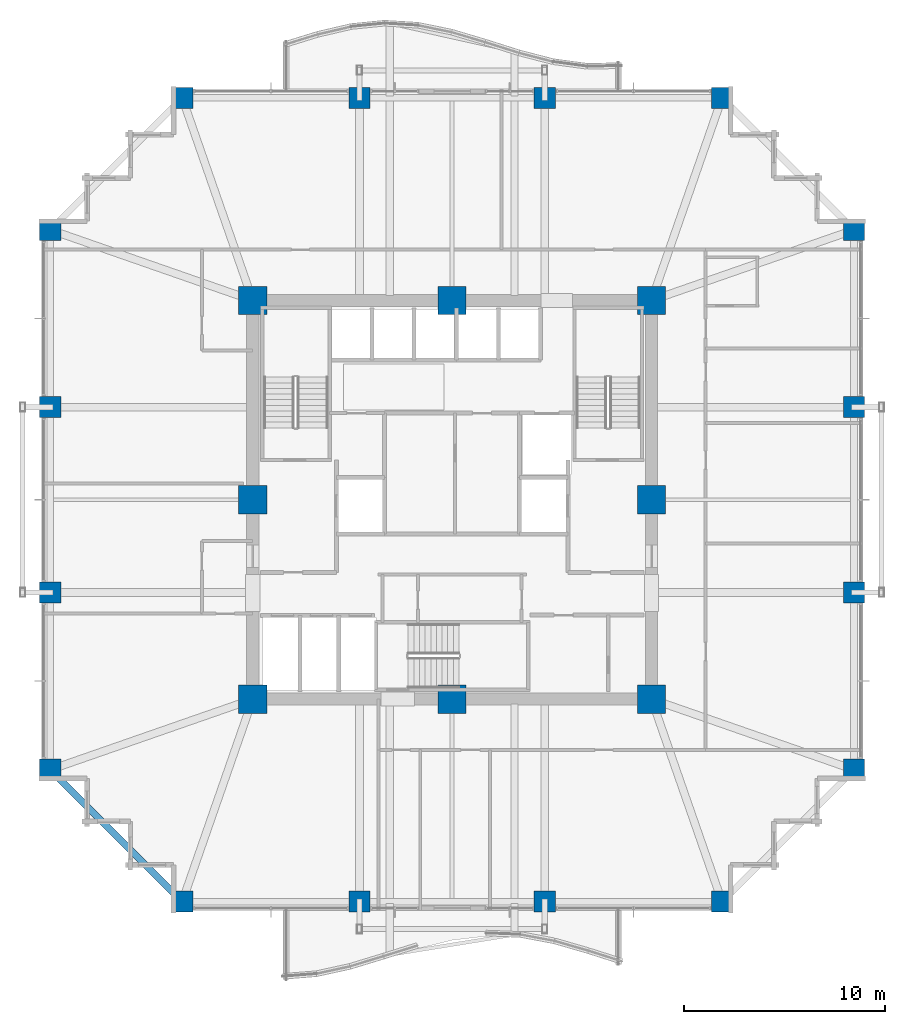
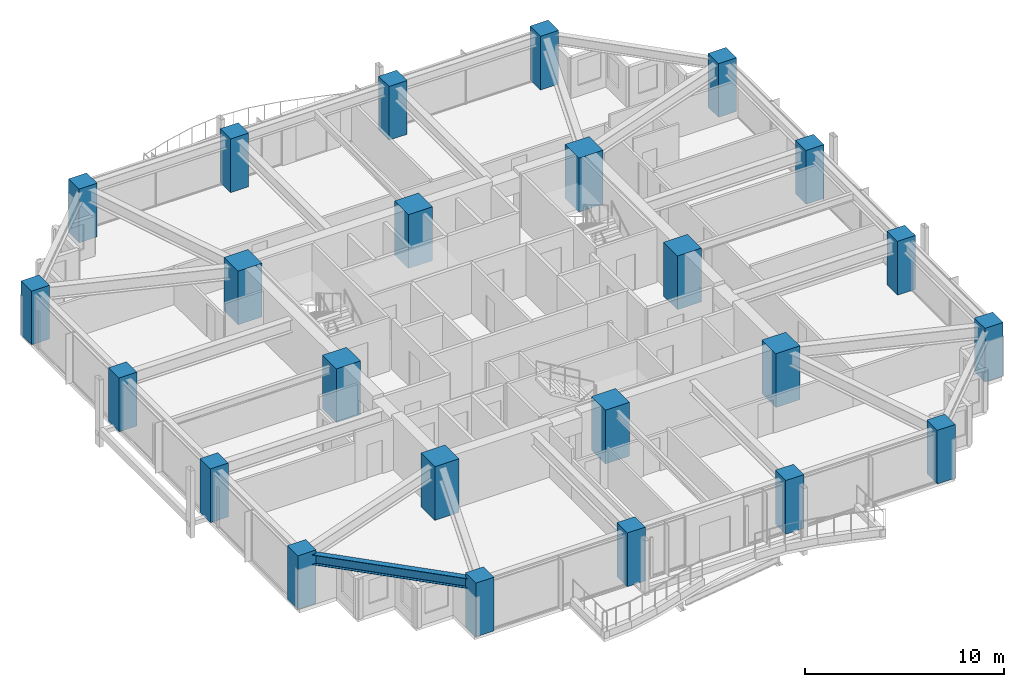
# One storey, part 1 of 38: 24 columns, 1 beam.
"""IFC4 building model written with IfcOpenShell, lengths in metres."""

from ifc_helpers import new_model, si_unit, direction, frame, origin, origin_2d, place, context, subcontext, project, spatial, rectangle, i_section, extrude, material, material_profile, profile_set, type_object, element, save


model = new_model("IFC4")

# Units and contexts
model_context = context("Model", 3, precision=1e-05, world=origin(), true_north=direction((0.0, 1.0)))
body_context = subcontext(model_context, "Body", "Model", "MODEL_VIEW")
ifc_project = project(units=[si_unit("LENGTHUNIT", "METRE"), si_unit("AREAUNIT", "SQUARE_METRE"), si_unit("VOLUMEUNIT", "CUBIC_METRE"), si_unit("PLANEANGLEUNIT", "RADIAN"), si_unit("MASSUNIT", "GRAM", prefix="KILO")], contexts=[model_context])

# Site, building, storey
site_placement = place(None, origin())
site = spatial("IfcSite", under=ifc_project, at=site_placement, CompositionType="ELEMENT")
building_placement = place(site_placement, origin())
building = spatial("IfcBuilding", under=site, at=building_placement, Name="Kolvaren Belvedere", CompositionType="ELEMENT")
storey_placement = place(building_placement, frame((0.0, 0.0, 72.199951171875)))
storey = spatial("IfcBuildingStorey", under=building, at=storey_placement, Name="L20", CompositionType="ELEMENT", Elevation=72.199951171875)

# Columns
ifc_material_1 = material(Name="Concrete C50/60", Category="concrete")
ifc_material_profile_1 = material_profile(ifc_material_1, rectangle(XDim=1.050048828125, YDim=1.050048828125, at=origin_2d()), Name="RC 1050X1050")
ifc_profile_set_1 = profile_set([ifc_material_profile_1], Name="Concrete C50/60")
column_type_1 = type_object("IfcColumnType", Name="COL-RC-1050", PredefinedType="COLUMN", material=ifc_profile_set_1)
for number, where, z_axis, x_axis, name in (
    (1, (-13.39990234375, -19.949951171875, 0.0), (0.0, 0.0, 1.0), (1.0, 0.0, 0.0), "L20 Perimeter Column S1"),
    (2, (-4.60009765625, -19.949951171875, 0.0), (0.0, 0.0, 1.0), (1.0, 0.0, 0.0), "L20 Perimeter Column S2"),
    (3, (4.60009765625, -19.949951171875, 0.0), (0.0, 0.0, 1.0), (1.0, 0.0, 0.0), "L20 Perimeter Column S3"),
    (4, (13.39990234375, -19.949951171875, 0.0), (0.0, 0.0, 1.0), (1.0, 0.0, 0.0), "L20 Perimeter Column S4"),
    (5, (-13.39990234375, 19.949951171875, 0.0), (0.0, 0.0, 1.0), (1.0, 0.0, 0.0), "L20 Perimeter Column N1"),
    (6, (-4.60009765625, 19.949951171875, 0.0), (0.0, 0.0, 1.0), (1.0, 0.0, 0.0), "L20 Perimeter Column N2"),
    (7, (4.60009765625, 19.949951171875, 0.0), (0.0, 0.0, 1.0), (1.0, 0.0, 0.0), "L20 Perimeter Column N3"),
    (8, (13.39990234375, 19.949951171875, 0.0), (0.0, 0.0, 1.0), (1.0, 0.0, 0.0), "L20 Perimeter Column N4"),
    (9, (-19.949951171875, -13.39990234375, 0.0), (0.0, 0.0, 1.0), (1.0, 0.0, 0.0), "L20 Perimeter Column W1"),
    (10, (-19.949951171875, -4.60009765625, 0.0), (0.0, 0.0, 1.0), (1.0, 0.0, 0.0), "L20 Perimeter Column W2"),
    (11, (-19.949951171875, 4.60009765625, 0.0), (0.0, 0.0, 1.0), (1.0, 0.0, 0.0), "L20 Perimeter Column W3"),
    (12, (-19.949951171875, 13.39990234375, 0.0), (0.0, 0.0, 1.0), (1.0, 0.0, 0.0), "L20 Perimeter Column W4"),
    (13, (19.949951171875, -13.39990234375, 0.0), (0.0, 0.0, 1.0), (1.0, 0.0, 0.0), "L20 Perimeter Column E1"),
    (14, (19.949951171875, -4.60009765625, 0.0), (0.0, 0.0, 1.0), (1.0, 0.0, 0.0), "L20 Perimeter Column E2"),
    (15, (19.949951171875, 4.60009765625, 0.0), (0.0, 0.0, 1.0), (1.0, 0.0, 0.0), "L20 Perimeter Column E3"),
    (16, (19.949951171875, 13.39990234375, 0.0), (0.0, 0.0, 1.0), (1.0, 0.0, 0.0), "L20 Perimeter Column E4"),
):
    element("IfcColumn", number, at=place(storey_placement, frame(where, z_axis=z_axis, x_axis=x_axis)), inside=storey, type_object=column_type_1, Name=name, PredefinedType="COLUMN", context=body_context, shape_type="SweptSolid", body=[
        extrude(rectangle(XDim=1.050048828125, YDim=1.050048828125, at=origin_2d()), origin(), (0.0, 0.0, 1.0), 3.300048828125),
    ])
ifc_material_2 = material(Name="Concrete C60/75", Category="concrete")
ifc_material_profile_2 = material_profile(ifc_material_2, rectangle(XDim=1.39990234375, YDim=1.39990234375, at=origin_2d()), Name="RC 1400X1400")
ifc_profile_set_2 = profile_set([ifc_material_profile_2], Name="Concrete C60/75")
column_type_2 = type_object("IfcColumnType", Name="COL-RC-1400", PredefinedType="COLUMN", material=ifc_profile_set_2)
for number, where, z_axis, x_axis, name in (
    (17, (-9.89990234375, -9.89990234375, 0.0), (0.0, 0.0, 1.0), (1.0, 0.0, 0.0), "L20 Core Column CC1"),
    (18, (9.89990234375, -9.89990234375, 0.0), (0.0, 0.0, 1.0), (1.0, 0.0, 0.0), "L20 Core Column CC2"),
    (19, (9.89990234375, 9.89990234375, 0.0), (0.0, 0.0, 1.0), (1.0, 0.0, 0.0), "L20 Core Column CC3"),
    (20, (-9.89990234375, 9.89990234375, 0.0), (0.0, 0.0, 1.0), (1.0, 0.0, 0.0), "L20 Core Column CC4"),
    (21, (0.0, -9.89990234375, 0.0), (0.0, 0.0, 1.0), (1.0, 0.0, 0.0), "L20 Core Column CM1"),
    (22, (9.89990234375, 0.0, 0.0), (0.0, 0.0, 1.0), (1.0, 0.0, 0.0), "L20 Core Column CM2"),
    (23, (0.0, 9.89990234375, 0.0), (0.0, 0.0, 1.0), (1.0, 0.0, 0.0), "L20 Core Column CM3"),
    (24, (-9.89990234375, 0.0, 0.0), (0.0, 0.0, 1.0), (1.0, 0.0, 0.0), "L20 Core Column CM4"),
):
    element("IfcColumn", number, at=place(storey_placement, frame(where, z_axis=z_axis, x_axis=x_axis)), inside=storey, type_object=column_type_2, Name=name, PredefinedType="COLUMN", context=body_context, shape_type="SweptSolid", body=[
        extrude(rectangle(XDim=1.39990234375, YDim=1.39990234375, at=origin_2d()), origin(), (0.0, 0.0, 1.0), 3.300048828125),
    ])

# Beam
ifc_material_3 = material(Name="Structural steel ASTM A992 Grade 50", Category="steel")
ifc_material_profile_3 = material_profile(ifc_material_3, i_section(OverallWidth=0.324951171875, OverallDepth=0.615966796875, WebThickness=0.013916015625, FlangeThickness=0.021484375, FilletRadius=0.02001953125, at=origin_2d()), Name="W24X117")
ifc_profile_set_3 = profile_set([ifc_material_profile_3], Name="Structural steel ASTM A992 Grade 50")
beam_type = type_object("IfcBeamType", Name="BM-SPAN-W24X117", PredefinedType="SPANDREL", material=ifc_profile_set_3)
beam_placement = place(storey_placement, frame((-19.782958984375, -13.567138671875, 2.77197265625), z_axis=(0.707106781187, -0.707106781187, 0.0), x_axis=(0.707106781187, 0.707106781187, 0.0)))
element("IfcBeam", 25, at=beam_placement, inside=storey, type_object=beam_type, Name="L20 Perimeter Spandrel W1-S1", PredefinedType="SPANDREL", context=body_context, shape_type="SweptSolid", body=[
    extrude(i_section(OverallWidth=0.324951171875, OverallDepth=0.615966796875, WebThickness=0.013916015625, FlangeThickness=0.021484375, FilletRadius=0.02001953125, at=origin_2d()), origin(), (0.0, 0.0, 1.0), 8.79052734375),
])

save(model, "model.ifc")
